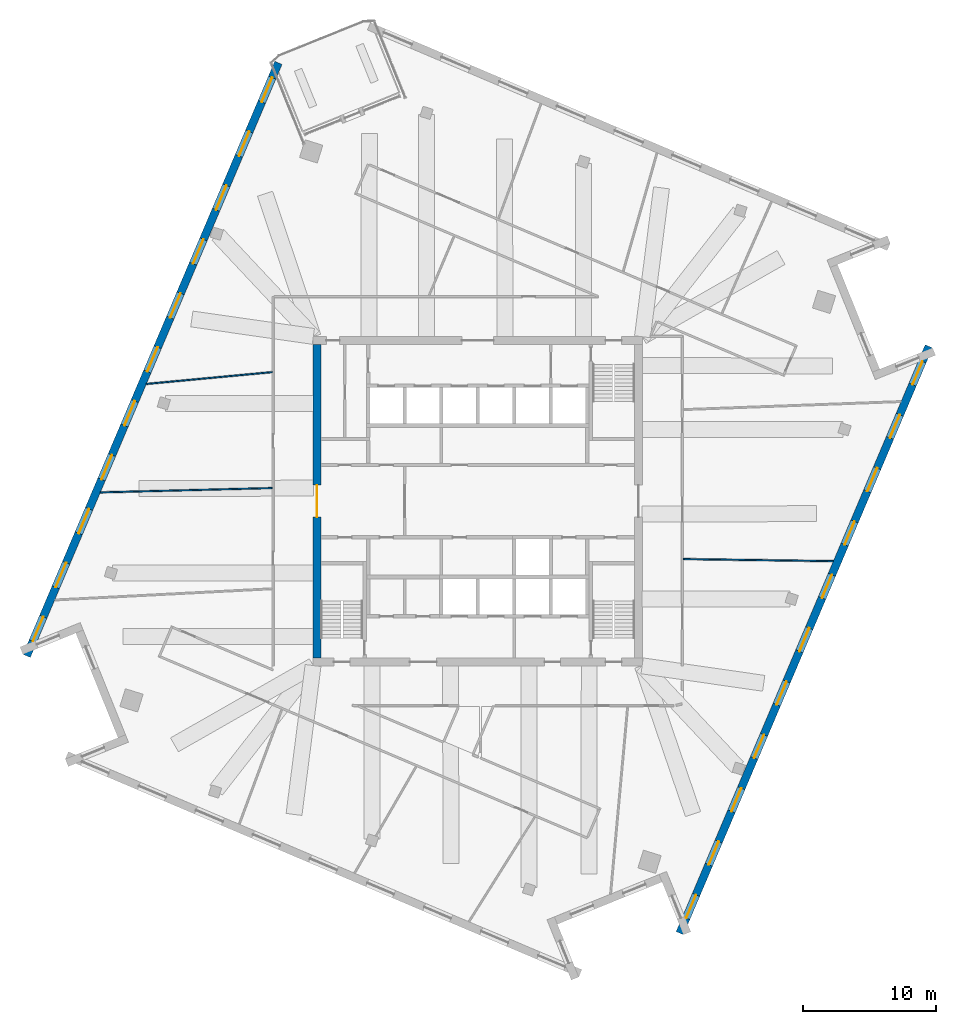
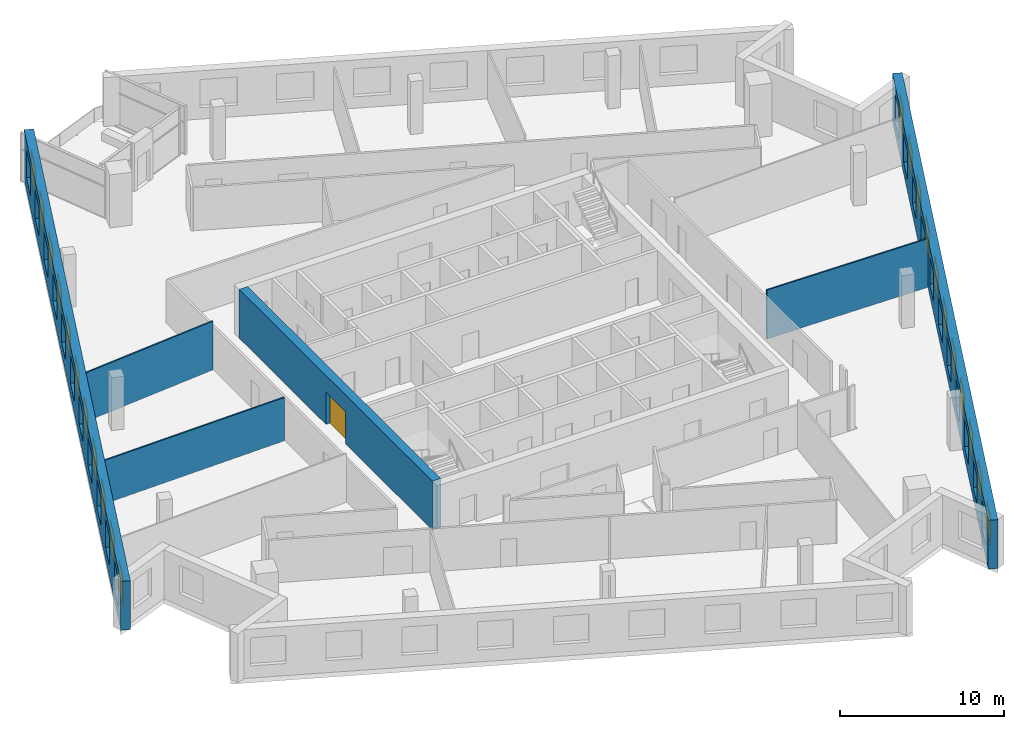
# One storey, part 8 of 13: 22 windows, 6 walls, 1 door, 23 openings.
"""IFC4 building model written with IfcOpenShell, lengths in metres."""

import ifcopenshell
import ifcopenshell.guid

model = None  # the IFC model being written
_history = None  # IfcOwnerHistory: only IFC2X3 demands one
_inside = {}  # id of a spatial element -> (the spatial element, [elements in it])
_under = {}  # id of a project, library or spatial element -> (it, [spatial elements below it])
_declared = {}  # id of a project -> (the project, [libraries it declares])
_typed = {}  # id of a type object -> (the type object, [elements of that type])
_made_of = {}  # id of a material, layer set ... -> (it, [elements and type objects made of it])


def new_model(schema):
    """Start an empty IFC model of exactly this schema.

    Asked for "IFC4X3", IfcOpenShell would pick the latest addendum, in which some entities
    have other attributes; the version numbers below select the first issue.
    IFC2X3 requires an IfcOwnerHistory on every rooted entity: one is made here for all.
    """
    global model, _history
    if schema == "IFC4X3":
        model = ifcopenshell.file(schema_version=(4, 3, 0, 0))
    else:
        model = ifcopenshell.file(schema=schema)
    _inside.clear()
    _under.clear()
    _declared.clear()
    _typed.clear()
    _made_of.clear()
    _history = None
    if model.schema == "IFC2X3":
        org = make("IfcOrganization", Name="unknown")
        user = make(
            "IfcPersonAndOrganization",
            ThePerson=make("IfcPerson", FamilyName="unknown"),
            TheOrganization=org,
        )
        app = make(
            "IfcApplication",
            ApplicationDeveloper=org,
            Version="unknown",
            ApplicationFullName="unknown",
            ApplicationIdentifier="unknown",
        )
        _history = make(
            "IfcOwnerHistory",
            OwningUser=user,
            OwningApplication=app,
            ChangeAction="ADDED",
            CreationDate=0,
        )
    return model


def make(cls, **values):
    """One entity of the class cls with the attributes given. An attribute that is None is left unset."""
    return model.create_entity(
        cls, **{name: value for name, value in values.items() if value is not None}
    )


def rooted(cls, **values):
    """An entity with a GlobalId (a new one), such as an element, a storey or a relation."""
    return make(cls, GlobalId=ifcopenshell.guid.new(), OwnerHistory=_history, **values)


def si_unit(unit_type, name, prefix=None):
    """IfcSIUnit, for example si_unit("LENGTHUNIT", "METRE", prefix="MILLI")."""
    return make("IfcSIUnit", UnitType=unit_type, Prefix=prefix, Name=name)


def assignment(units):
    """IfcUnitAssignment: the units of a project."""
    return None if units is None else make("IfcUnitAssignment", Units=units)


def point(xyz):
    """IfcCartesianPoint."""
    return None if xyz is None else make("IfcCartesianPoint", Coordinates=xyz)


def direction(xyz):
    """IfcDirection."""
    return None if xyz is None else make("IfcDirection", DirectionRatios=xyz)


def frame(location, z_axis=None, x_axis=None):
    """IfcAxis2Placement3D, a coordinate frame: its origin and axes. An axis left out is left unset."""
    return make(
        "IfcAxis2Placement3D",
        Location=point(location),
        Axis=direction(z_axis),
        RefDirection=direction(x_axis),
    )


def frame_2d(location, x_axis=None):
    """IfcAxis2Placement2D, a coordinate frame in the plane: its origin and x axis."""
    return make(
        "IfcAxis2Placement2D", Location=point(location), RefDirection=direction(x_axis)
    )


def origin():
    """The frame at (0, 0, 0) with its axes left unset."""
    return frame((0.0, 0.0, 0.0))


def place(relative_to, where):
    """IfcLocalPlacement: puts the frame where relative to a parent placement (None: the world)."""
    return make(
        "IfcLocalPlacement", PlacementRelTo=relative_to, RelativePlacement=where
    )


def context(
    kind, dimensions, precision=None, world=None, true_north=None, identifier=None
):
    """IfcGeometricRepresentationContext, for example the 3D "Model" context."""
    return make(
        "IfcGeometricRepresentationContext",
        ContextIdentifier=identifier,
        ContextType=kind,
        CoordinateSpaceDimension=dimensions,
        Precision=precision,
        WorldCoordinateSystem=world,
        TrueNorth=true_north,
    )


def subcontext(parent, identifier, kind, view, scale=None):
    """IfcGeometricRepresentationSubContext, for example "Body" below "Model"."""
    return make(
        "IfcGeometricRepresentationSubContext",
        ContextIdentifier=identifier,
        ContextType=kind,
        ParentContext=parent,
        TargetScale=scale,
        TargetView=view,
    )


def project(units=None, contexts=None):
    """IfcProject with its units and contexts."""
    return rooted(
        "IfcProject",
        Name="project",
        RepresentationContexts=contexts,
        UnitsInContext=assignment(units),
    )


def spatial(cls, under=None, at=None, **own):
    """A site, building, storey or space (cls), placed at a placement, below another one or the project."""
    s = rooted(cls, ObjectPlacement=at, **own)
    if under is not None:
        _under.setdefault(under.id(), (under, []))[1].append(s)
    return s


def profile(cls, at=None, kind="AREA", **sizes):
    """A parametric profile (cls). Its sizes go by their IFC names, for example OverallWidth=200.0."""
    return make(cls, ProfileType=kind, Position=at, **sizes)


def rectangle(**sizes):
    """IfcRectangleProfileDef."""
    return profile("IfcRectangleProfileDef", **sizes)


def extrude(swept, where, along, depth):
    """IfcExtrudedAreaSolid: the profile swept, set in the frame where, extruded along a direction by depth."""
    return make(
        "IfcExtrudedAreaSolid",
        SweptArea=swept,
        Position=where,
        ExtrudedDirection=direction(along),
        Depth=depth,
    )


def shape(context_of_items, identifier, shape_type, items):
    """IfcShapeRepresentation: the items that make up one representation, for example the "Body"."""
    return make(
        "IfcShapeRepresentation",
        ContextOfItems=context_of_items,
        RepresentationIdentifier=identifier,
        RepresentationType=shape_type,
        Items=items,
    )


def material(Name=None, Category=None):
    """IfcMaterial."""
    return make("IfcMaterial", Name=Name, Category=Category)


def layer(
    of_material, thickness, ventilated=None, Name=None, Category=None, Priority=None
):
    """IfcMaterialLayer: one layer of a wall or slab, of a material (None: an air gap)."""
    return make(
        "IfcMaterialLayer",
        Material=of_material,
        LayerThickness=thickness,
        IsVentilated=ventilated,
        Name=Name,
        Category=Category,
        Priority=Priority,
    )


def layer_set(layers, Name=None):
    """IfcMaterialLayerSet."""
    return make("IfcMaterialLayerSet", MaterialLayers=layers, LayerSetName=Name)


def made_of(thing, what):
    """Note that an element or type object is made of a material, layer set ...; save() writes the relation."""
    if what is not None:
        _made_of.setdefault(what.id(), (what, []))[1].append(thing)
    return thing


def type_object(cls, material=None, **own):
    """A type object (cls), such as IfcWallType, which elements share."""
    return made_of(rooted(cls, **own), material)


def element(
    cls,
    number,
    at=None,
    inside=None,
    cuts=None,
    type_object=None,
    material=None,
    context=None,
    identifier="Body",
    shape_type=None,
    held_by="IfcProductDefinitionShape",
    body=None,
    shapes=None,
    **own,
):
    """One element of the class cls, such as IfcWall. Its Tag is "e" and its number.

    at: its placement. inside: the storey or other place that contains it. cuts: it is an
    opening in that element (IfcRelVoidsElement). A single representation is given by context,
    identifier, shape_type and body (its items); several are given by shapes. held_by: the class
    of the entity that holds the representations. save() writes the other relations.
    """
    e = rooted(cls, Tag="e%d" % number, ObjectPlacement=at, **own)
    if body is not None:
        shapes = [shape(context, identifier, shape_type, body)]
    if shapes is not None:
        e.Representation = make(held_by, Representations=shapes)
    if inside is not None:
        _inside.setdefault(inside.id(), (inside, []))[1].append(e)
    if cuts is not None:
        rooted(
            "IfcRelVoidsElement", RelatingBuildingElement=cuts, RelatedOpeningElement=e
        )
    if type_object is not None:
        _typed.setdefault(type_object.id(), (type_object, []))[1].append(e)
    return made_of(e, material)


def fill(opening, filler):
    """IfcRelFillsElement: the door or window that sits in an opening."""
    return rooted(
        "IfcRelFillsElement",
        RelatingOpeningElement=opening,
        RelatedBuildingElement=filler,
    )


def aggregate(whole, parts):
    """IfcRelAggregates: a whole, such as a stair, and the parts it consists of."""
    return rooted("IfcRelAggregates", RelatingObject=whole, RelatedObjects=parts)


def save(model, path):
    """Write the relations noted so far, then the file.

    IfcRelAggregates (storeys below a building ...), IfcRelContainedInSpatialStructure (elements
    in a storey), IfcRelDefinesByType, IfcRelAssociatesMaterial and IfcRelDeclares: one each for
    every whole, place, type object, material and project.
    """
    for whole, parts in _under.values():
        aggregate(whole, parts)
    for where, things in _inside.values():
        rooted(
            "IfcRelContainedInSpatialStructure",
            RelatedElements=things,
            RelatingStructure=where,
        )
    for kind, things in _typed.values():
        rooted("IfcRelDefinesByType", RelatedObjects=things, RelatingType=kind)
    for what, things in _made_of.values():
        rooted("IfcRelAssociatesMaterial", RelatedObjects=things, RelatingMaterial=what)
    for by, libraries in _declared.values():
        rooted("IfcRelDeclares", RelatingContext=by, RelatedDefinitions=libraries)
    model.write(path)


model = new_model("IFC4")

# Units and contexts
model_context = context("Model", 3, precision=1e-05, world=origin(), true_north=direction((0.0, 1.0)))
body_context = subcontext(model_context, "Body", "Model", "MODEL_VIEW")
ifc_project = project(units=[si_unit("LENGTHUNIT", "METRE"), si_unit("AREAUNIT", "SQUARE_METRE"), si_unit("VOLUMEUNIT", "CUBIC_METRE"), si_unit("PLANEANGLEUNIT", "RADIAN"), si_unit("MASSUNIT", "GRAM", prefix="KILO")], contexts=[model_context])

# Site, building, storey
site_placement = place(None, origin())
site = spatial("IfcSite", under=ifc_project, at=site_placement, CompositionType="ELEMENT")
building_placement = place(site_placement, origin())
building = spatial("IfcBuilding", under=site, at=building_placement, Name="Dilmun Exchange Tower", CompositionType="ELEMENT")
storey_placement = place(building_placement, frame((0.0, 0.0, 296.5)))
storey = spatial("IfcBuildingStorey", under=building, at=storey_placement, Name="L70", CompositionType="ELEMENT", Elevation=296.5)

# Wall, opening, door
ifc_material_1 = material(Name="Concrete C50/60", Category="concrete")
ifc_layer_1 = layer(ifc_material_1, 0.60009765625)
ifc_layer_set_1 = layer_set([ifc_layer_1], Name="Concrete C50/60")
wall_type_1 = type_object("IfcWallType", Name="Core shear wall 600 Concrete C50/60", PredefinedType="SHEAR", material=ifc_layer_set_1)
wall_1_placement = place(storey_placement, frame((-12.10009765625, -11.800048828125, 0.0), z_axis=(0.0, 0.0, 1.0), x_axis=(0.0, 1.0, 0.0)))
wall_1 = element("IfcWall", 1, at=wall_1_placement, inside=storey, type_object=wall_type_1, Name="L70 core shear wall W", PredefinedType="SHEAR", context=body_context, shape_type="SweptSolid", body=[
    extrude(rectangle(XDim=23.60009765625, YDim=0.60009765625, at=frame_2d((11.800048828125, 0.0))), origin(), (0.0, 0.0, 1.0), 3.64990234375),
])
opening_1_placement = place(wall_1_placement, frame((10.60009765625, 0.0, 0.0)))
opening_1 = element("IfcOpeningElement", 2, at=opening_1_placement, cuts=wall_1, Name="Opening CD1", PredefinedType="OPENING", context=body_context, shape_type="SweptSolid", body=[
    extrude(rectangle(XDim=2.39990234375, YDim=2.39990234375, at=frame_2d((1.199951171875, 1.199951171875))), frame((0.0, 0.31005859375, 0.0), z_axis=(0.0, -1.0, 0.0), x_axis=(1.0, 0.0, 0.0)), (0.0, 0.0, 1.0), 0.6201171875),
])
ifc_material_2 = material(Name="Fire-rated steel door set", Category="steel")
door_type = type_object("IfcDoorType", Name="Core lobby door 2400x2400", OperationType="DOUBLE_DOOR_DOUBLE_SWING", PredefinedType="DOOR", material=ifc_material_2)
door_placement = place(opening_1_placement, origin())
door = element("IfcDoor", 3, at=door_placement, inside=storey, type_object=door_type, Name="L70 door Central lift lobby", OperationType="SINGLE_SWING_LEFT", OverallHeight=2.39990234375, OverallWidth=2.39990234375, PredefinedType="DOOR", context=body_context, shape_type="SweptSolid", body=[
    extrude(rectangle(XDim=2.39990234375, YDim=2.39990234375, at=frame_2d((1.199951171875, 1.199951171875))), frame((0.0, 0.02490234375, 0.0), z_axis=(0.0, -1.0, 0.0), x_axis=(1.0, 0.0, 0.0)), (0.0, 0.0, 1.0), 0.050048828125),
])
fill(opening_1, door)

# Walls
ifc_material_3 = material(Name="Partition 100")
ifc_layer_2 = layer(ifc_material_3, 0.10009765625)
ifc_layer_set_2 = layer_set([ifc_layer_2], Name="Partition 100")
wall_type_2 = type_object("IfcWallType", Name="Partition 100", PredefinedType="PARTITIONING", material=ifc_layer_set_2)
wall_2_placement = place(storey_placement, frame((-28.39892578125, 0.65673828125, 0.0), z_axis=(0.0, 0.0, 1.0), x_axis=(0.999679226592, 0.025326743172, 0.0)))
element("IfcWall", 4, at=wall_2_placement, inside=storey, type_object=wall_type_2, Name="Partition", PredefinedType="PARTITIONING", context=body_context, shape_type="SweptSolid", body=[
    extrude(rectangle(XDim=12.9267578125, YDim=0.10009765625, at=frame_2d((6.46337890625, 0.0))), origin(), (0.0, 0.0, 1.0), 3.25),
])
wall_3_placement = place(storey_placement, frame((-24.934326171875, 8.819091796875, 0.0), z_axis=(0.0, 0.0, 1.0), x_axis=(0.995594865602, 0.0937596053, 0.0)))
element("IfcWall", 5, at=wall_3_placement, inside=storey, type_object=wall_type_2, Name="Partition", PredefinedType="PARTITIONING", context=body_context, shape_type="SweptSolid", body=[
    extrude(rectangle(XDim=9.496337890625, YDim=0.10009765625, at=frame_2d((4.748046875, 0.0))), origin(), (0.0, 0.0, 1.0), 3.64990234375),
])
wall_4_placement = place(storey_placement, frame((15.4755859375, -4.360107421875, 0.0), z_axis=(0.0, 0.0, 1.0), x_axis=(0.999902345391, -0.013974966252, 0.0)))
element("IfcWall", 6, at=wall_4_placement, inside=storey, type_object=wall_type_2, Name="Partition", PredefinedType="PARTITIONING", context=body_context, shape_type="SweptSolid", body=[
    extrude(rectangle(XDim=11.28564453125, YDim=0.10009765625, at=frame_2d((5.642822265625, 0.0))), origin(), (0.0, 0.0, 1.0), 3.64990234375),
])

# Wall, openings, windows
ifc_material_4 = material(Name="Precast concrete C50/60", Category="concrete")
ifc_layer_3 = layer(ifc_material_4, 0.60009765625)
ifc_layer_set_3 = layer_set([ifc_layer_3], Name="Precast concrete C50/60")
wall_type_3 = type_object("IfcWallType", Name="Precast stone-clad wall 600", PredefinedType="STANDARD", material=ifc_layer_set_3)
wall_5_placement = place(storey_placement, frame((-15.004638671875, 32.98486328125, 0.0), z_axis=(0.0, 0.0, 1.0), x_axis=(-0.39073034436, -0.920505186295, 0.0)))
wall_5 = element("IfcWall", 7, at=wall_5_placement, inside=storey, type_object=wall_type_3, Name="Facade wall L70-03", PredefinedType="STANDARD", context=body_context, shape_type="SweptSolid", body=[
    extrude(rectangle(XDim=48.489501953125, YDim=0.60009765625, at=frame_2d((24.24462890625, 0.0))), origin(), (0.0, 0.0, 1.0), 3.64990234375),
])
opening_2_placement = place(wall_5_placement, frame((1.2041015625, 0.0, 0.89990234375)))
opening_2 = element("IfcOpeningElement", 8, at=opening_2_placement, cuts=wall_5, Name="Opening W200-210", PredefinedType="OPENING", context=body_context, shape_type="SweptSolid", body=[
    extrude(rectangle(XDim=2.0, YDim=2.10009765625, at=frame_2d((1.0, 1.050048828125))), frame((0.0, 0.31005859375, 0.0), z_axis=(0.0, -1.0, 0.0), x_axis=(1.0, 0.0, 0.0)), (0.0, 0.0, 1.0), 0.6201171875),
])
opening_3_placement = place(wall_5_placement, frame((5.6123046875, 0.0, 0.89990234375)))
opening_3 = element("IfcOpeningElement", 9, at=opening_3_placement, cuts=wall_5, Name="Opening W200-210", PredefinedType="OPENING", context=body_context, shape_type="SweptSolid", body=[
    extrude(rectangle(XDim=2.0, YDim=2.10009765625, at=frame_2d((1.0, 1.050048828125))), frame((0.0, 0.31005859375, 0.0), z_axis=(0.0, -1.0, 0.0), x_axis=(1.0, 0.0, 0.0)), (0.0, 0.0, 1.0), 0.6201171875),
])
opening_4_placement = place(wall_5_placement, frame((10.0205078125, 0.0, 0.89990234375)))
opening_4 = element("IfcOpeningElement", 10, at=opening_4_placement, cuts=wall_5, Name="Opening W200-210", PredefinedType="OPENING", context=body_context, shape_type="SweptSolid", body=[
    extrude(rectangle(XDim=2.0, YDim=2.10009765625, at=frame_2d((1.0, 1.050048828125))), frame((0.0, 0.31005859375, 0.0), z_axis=(0.0, -1.0, 0.0), x_axis=(1.0, 0.0, 0.0)), (0.0, 0.0, 1.0), 0.6201171875),
])
opening_5_placement = place(wall_5_placement, frame((14.428466796875, 0.0, 0.89990234375)))
opening_5 = element("IfcOpeningElement", 11, at=opening_5_placement, cuts=wall_5, Name="Opening W200-210", PredefinedType="OPENING", context=body_context, shape_type="SweptSolid", body=[
    extrude(rectangle(XDim=2.0, YDim=2.10009765625, at=frame_2d((1.0, 1.050048828125))), frame((0.0, 0.31005859375, 0.0), z_axis=(0.0, -1.0, 0.0), x_axis=(1.0, 0.0, 0.0)), (0.0, 0.0, 1.0), 0.6201171875),
])
opening_6_placement = place(wall_5_placement, frame((18.836669921875, 0.0, 0.89990234375)))
opening_6 = element("IfcOpeningElement", 12, at=opening_6_placement, cuts=wall_5, Name="Opening W200-210", PredefinedType="OPENING", context=body_context, shape_type="SweptSolid", body=[
    extrude(rectangle(XDim=2.0, YDim=2.10009765625, at=frame_2d((1.0, 1.050048828125))), frame((0.0, 0.31005859375, 0.0), z_axis=(0.0, -1.0, 0.0), x_axis=(1.0, 0.0, 0.0)), (0.0, 0.0, 1.0), 0.6201171875),
])
opening_7_placement = place(wall_5_placement, frame((23.244873046875, 0.0, 0.89990234375)))
opening_7 = element("IfcOpeningElement", 13, at=opening_7_placement, cuts=wall_5, Name="Opening W200-210", PredefinedType="OPENING", context=body_context, shape_type="SweptSolid", body=[
    extrude(rectangle(XDim=2.0, YDim=2.10009765625, at=frame_2d((1.0, 1.050048828125))), frame((0.0, 0.31005859375, 0.0), z_axis=(0.0, -1.0, 0.0), x_axis=(1.0, 0.0, 0.0)), (0.0, 0.0, 1.0), 0.6201171875),
])
opening_8_placement = place(wall_5_placement, frame((27.65283203125, 0.0, 0.89990234375)))
opening_8 = element("IfcOpeningElement", 14, at=opening_8_placement, cuts=wall_5, Name="Opening W200-210", PredefinedType="OPENING", context=body_context, shape_type="SweptSolid", body=[
    extrude(rectangle(XDim=2.0, YDim=2.10009765625, at=frame_2d((1.0, 1.050048828125))), frame((0.0, 0.31005859375, 0.0), z_axis=(0.0, -1.0, 0.0), x_axis=(1.0, 0.0, 0.0)), (0.0, 0.0, 1.0), 0.6201171875),
])
opening_9_placement = place(wall_5_placement, frame((32.06103515625, 0.0, 0.89990234375)))
opening_9 = element("IfcOpeningElement", 15, at=opening_9_placement, cuts=wall_5, Name="Opening W200-210", PredefinedType="OPENING", context=body_context, shape_type="SweptSolid", body=[
    extrude(rectangle(XDim=2.0, YDim=2.10009765625, at=frame_2d((1.0, 1.050048828125))), frame((0.0, 0.31005859375, 0.0), z_axis=(0.0, -1.0, 0.0), x_axis=(1.0, 0.0, 0.0)), (0.0, 0.0, 1.0), 0.6201171875),
])
opening_10_placement = place(wall_5_placement, frame((36.46923828125, 0.0, 0.89990234375)))
opening_10 = element("IfcOpeningElement", 16, at=opening_10_placement, cuts=wall_5, Name="Opening W200-210", PredefinedType="OPENING", context=body_context, shape_type="SweptSolid", body=[
    extrude(rectangle(XDim=2.0, YDim=2.10009765625, at=frame_2d((1.0, 1.050048828125))), frame((0.0, 0.31005859375, 0.0), z_axis=(0.0, -1.0, 0.0), x_axis=(1.0, 0.0, 0.0)), (0.0, 0.0, 1.0), 0.6201171875),
])
opening_11_placement = place(wall_5_placement, frame((40.87744140625, 0.0, 0.89990234375)))
opening_11 = element("IfcOpeningElement", 17, at=opening_11_placement, cuts=wall_5, Name="Opening W200-210", PredefinedType="OPENING", context=body_context, shape_type="SweptSolid", body=[
    extrude(rectangle(XDim=2.0, YDim=2.10009765625, at=frame_2d((1.0, 1.050048828125))), frame((0.0, 0.31005859375, 0.0), z_axis=(0.0, -1.0, 0.0), x_axis=(1.0, 0.0, 0.0)), (0.0, 0.0, 1.0), 0.6201171875),
])
opening_12_placement = place(wall_5_placement, frame((45.285400390625, 0.0, 0.89990234375)))
opening_12 = element("IfcOpeningElement", 18, at=opening_12_placement, cuts=wall_5, Name="Opening W200-210", PredefinedType="OPENING", context=body_context, shape_type="SweptSolid", body=[
    extrude(rectangle(XDim=2.0, YDim=2.10009765625, at=frame_2d((1.0, 1.050048828125))), frame((0.0, 0.31005859375, 0.0), z_axis=(0.0, -1.0, 0.0), x_axis=(1.0, 0.0, 0.0)), (0.0, 0.0, 1.0), 0.6201171875),
])
ifc_material_5 = material(Name="Clear low-emissivity glass in aluminium frame", Category="aluminium")
window_type_1 = type_object("IfcWindowType", Name="Punched window 2000 x 2100", PartitioningType="DOUBLE_PANEL_VERTICAL", PredefinedType="WINDOW", material=ifc_material_5)
window_1_placement = place(opening_2_placement, origin())
window_1 = element("IfcWindow", 19, at=window_1_placement, inside=storey, type_object=window_type_1, Name="Window 4.1", OverallHeight=2.10009765625, OverallWidth=2.0, PartitioningType="SINGLE_PANEL", PredefinedType="WINDOW", context=body_context, shape_type="SweptSolid", body=[
    extrude(rectangle(XDim=2.0, YDim=2.10009765625, at=frame_2d((1.0, 1.050048828125))), frame((0.0, 0.030029296875, 0.0), z_axis=(0.0, -1.0, 0.0), x_axis=(1.0, 0.0, 0.0)), (0.0, 0.0, 1.0), 0.06005859375),
])
fill(opening_2, window_1)
window_2_placement = place(opening_3_placement, origin())
window_2 = element("IfcWindow", 20, at=window_2_placement, inside=storey, type_object=window_type_1, Name="Window 4.2", OverallHeight=2.10009765625, OverallWidth=2.0, PartitioningType="SINGLE_PANEL", PredefinedType="WINDOW", context=body_context, shape_type="SweptSolid", body=[
    extrude(rectangle(XDim=2.0, YDim=2.10009765625, at=frame_2d((1.0, 1.050048828125))), frame((0.0, 0.030029296875, 0.0), z_axis=(0.0, -1.0, 0.0), x_axis=(1.0, 0.0, 0.0)), (0.0, 0.0, 1.0), 0.06005859375),
])
fill(opening_3, window_2)
window_3_placement = place(opening_4_placement, origin())
window_3 = element("IfcWindow", 21, at=window_3_placement, inside=storey, type_object=window_type_1, Name="Window 4.3", OverallHeight=2.10009765625, OverallWidth=2.0, PartitioningType="SINGLE_PANEL", PredefinedType="WINDOW", context=body_context, shape_type="SweptSolid", body=[
    extrude(rectangle(XDim=2.0, YDim=2.10009765625, at=frame_2d((1.0, 1.050048828125))), frame((0.0, 0.030029296875, 0.0), z_axis=(0.0, -1.0, 0.0), x_axis=(1.0, 0.0, 0.0)), (0.0, 0.0, 1.0), 0.06005859375),
])
fill(opening_4, window_3)
window_4_placement = place(opening_5_placement, origin())
window_4 = element("IfcWindow", 22, at=window_4_placement, inside=storey, type_object=window_type_1, Name="Window 4.4", OverallHeight=2.10009765625, OverallWidth=2.0, PartitioningType="SINGLE_PANEL", PredefinedType="WINDOW", context=body_context, shape_type="SweptSolid", body=[
    extrude(rectangle(XDim=2.0, YDim=2.10009765625, at=frame_2d((1.0, 1.050048828125))), frame((0.0, 0.030029296875, 0.0), z_axis=(0.0, -1.0, 0.0), x_axis=(1.0, 0.0, 0.0)), (0.0, 0.0, 1.0), 0.06005859375),
])
fill(opening_5, window_4)
window_5_placement = place(opening_6_placement, origin())
window_5 = element("IfcWindow", 23, at=window_5_placement, inside=storey, type_object=window_type_1, Name="Window 4.5", OverallHeight=2.10009765625, OverallWidth=2.0, PartitioningType="SINGLE_PANEL", PredefinedType="WINDOW", context=body_context, shape_type="SweptSolid", body=[
    extrude(rectangle(XDim=2.0, YDim=2.10009765625, at=frame_2d((1.0, 1.050048828125))), frame((0.0, 0.030029296875, 0.0), z_axis=(0.0, -1.0, 0.0), x_axis=(1.0, 0.0, 0.0)), (0.0, 0.0, 1.0), 0.06005859375),
])
fill(opening_6, window_5)
window_6_placement = place(opening_7_placement, origin())
window_6 = element("IfcWindow", 24, at=window_6_placement, inside=storey, type_object=window_type_1, Name="Window 4.6", OverallHeight=2.10009765625, OverallWidth=2.0, PartitioningType="SINGLE_PANEL", PredefinedType="WINDOW", context=body_context, shape_type="SweptSolid", body=[
    extrude(rectangle(XDim=2.0, YDim=2.10009765625, at=frame_2d((1.0, 1.050048828125))), frame((0.0, 0.030029296875, 0.0), z_axis=(0.0, -1.0, 0.0), x_axis=(1.0, 0.0, 0.0)), (0.0, 0.0, 1.0), 0.06005859375),
])
fill(opening_7, window_6)
window_7_placement = place(opening_8_placement, origin())
window_7 = element("IfcWindow", 25, at=window_7_placement, inside=storey, type_object=window_type_1, Name="Window 4.7", OverallHeight=2.10009765625, OverallWidth=2.0, PartitioningType="SINGLE_PANEL", PredefinedType="WINDOW", context=body_context, shape_type="SweptSolid", body=[
    extrude(rectangle(XDim=2.0, YDim=2.10009765625, at=frame_2d((1.0, 1.050048828125))), frame((0.0, 0.030029296875, 0.0), z_axis=(0.0, -1.0, 0.0), x_axis=(1.0, 0.0, 0.0)), (0.0, 0.0, 1.0), 0.06005859375),
])
fill(opening_8, window_7)
window_8_placement = place(opening_9_placement, origin())
window_8 = element("IfcWindow", 26, at=window_8_placement, inside=storey, type_object=window_type_1, Name="Window 4.8", OverallHeight=2.10009765625, OverallWidth=2.0, PartitioningType="SINGLE_PANEL", PredefinedType="WINDOW", context=body_context, shape_type="SweptSolid", body=[
    extrude(rectangle(XDim=2.0, YDim=2.10009765625, at=frame_2d((1.0, 1.050048828125))), frame((0.0, 0.030029296875, 0.0), z_axis=(0.0, -1.0, 0.0), x_axis=(1.0, 0.0, 0.0)), (0.0, 0.0, 1.0), 0.06005859375),
])
fill(opening_9, window_8)
window_9_placement = place(opening_10_placement, origin())
window_9 = element("IfcWindow", 27, at=window_9_placement, inside=storey, type_object=window_type_1, Name="Window 4.9", OverallHeight=2.10009765625, OverallWidth=2.0, PartitioningType="SINGLE_PANEL", PredefinedType="WINDOW", context=body_context, shape_type="SweptSolid", body=[
    extrude(rectangle(XDim=2.0, YDim=2.10009765625, at=frame_2d((1.0, 1.050048828125))), frame((0.0, 0.030029296875, 0.0), z_axis=(0.0, -1.0, 0.0), x_axis=(1.0, 0.0, 0.0)), (0.0, 0.0, 1.0), 0.06005859375),
])
fill(opening_10, window_9)
window_10_placement = place(opening_11_placement, origin())
window_10 = element("IfcWindow", 28, at=window_10_placement, inside=storey, type_object=window_type_1, Name="Window 4.10", OverallHeight=2.10009765625, OverallWidth=2.0, PartitioningType="SINGLE_PANEL", PredefinedType="WINDOW", context=body_context, shape_type="SweptSolid", body=[
    extrude(rectangle(XDim=2.0, YDim=2.10009765625, at=frame_2d((1.0, 1.050048828125))), frame((0.0, 0.030029296875, 0.0), z_axis=(0.0, -1.0, 0.0), x_axis=(1.0, 0.0, 0.0)), (0.0, 0.0, 1.0), 0.06005859375),
])
fill(opening_11, window_10)
window_11_placement = place(opening_12_placement, origin())
window_11 = element("IfcWindow", 29, at=window_11_placement, inside=storey, type_object=window_type_1, Name="Window 4.11", OverallHeight=2.10009765625, OverallWidth=2.0, PartitioningType="SINGLE_PANEL", PredefinedType="WINDOW", context=body_context, shape_type="SweptSolid", body=[
    extrude(rectangle(XDim=2.0, YDim=2.10009765625, at=frame_2d((1.0, 1.050048828125))), frame((0.0, 0.030029296875, 0.0), z_axis=(0.0, -1.0, 0.0), x_axis=(1.0, 0.0, 0.0)), (0.0, 0.0, 1.0), 0.06005859375),
])
fill(opening_12, window_11)

wall_6_placement = place(storey_placement, frame((15.2041015625, -32.51513671875, 0.0), z_axis=(0.0, 0.0, 1.0), x_axis=(0.390728997462, 0.920505758017, 0.0)))
wall_6 = element("IfcWall", 30, at=wall_6_placement, inside=storey, type_object=wall_type_3, Name="Facade wall L70-11", PredefinedType="STANDARD", context=body_context, shape_type="SweptSolid", body=[
    extrude(rectangle(XDim=47.97900390625, YDim=0.60009765625, at=frame_2d((23.989501953125, 0.0))), origin(), (0.0, 0.0, 1.0), 3.64990234375),
])
opening_13_placement = place(wall_6_placement, frame((1.23095703125, 0.0, 0.89990234375)))
opening_13 = element("IfcOpeningElement", 31, at=opening_13_placement, cuts=wall_6, Name="Opening W190-210", PredefinedType="OPENING", context=body_context, shape_type="SweptSolid", body=[
    extrude(rectangle(XDim=1.89990234375, YDim=2.10009765625, at=frame_2d((0.949951171875, 1.050048828125))), frame((0.0, 0.31005859375, 0.0), z_axis=(0.0, -1.0, 0.0), x_axis=(1.0, 0.0, 0.0)), (0.0, 0.0, 1.0), 0.6201171875),
])
opening_14_placement = place(wall_6_placement, frame((5.592529296875, 0.0, 0.89990234375)))
opening_14 = element("IfcOpeningElement", 32, at=opening_14_placement, cuts=wall_6, Name="Opening W190-210", PredefinedType="OPENING", context=body_context, shape_type="SweptSolid", body=[
    extrude(rectangle(XDim=1.89990234375, YDim=2.10009765625, at=frame_2d((0.949951171875, 1.050048828125))), frame((0.0, 0.31005859375, 0.0), z_axis=(0.0, -1.0, 0.0), x_axis=(1.0, 0.0, 0.0)), (0.0, 0.0, 1.0), 0.6201171875),
])
opening_15_placement = place(wall_6_placement, frame((9.954345703125, 0.0, 0.89990234375)))
opening_15 = element("IfcOpeningElement", 33, at=opening_15_placement, cuts=wall_6, Name="Opening W190-210", PredefinedType="OPENING", context=body_context, shape_type="SweptSolid", body=[
    extrude(rectangle(XDim=1.89990234375, YDim=2.10009765625, at=frame_2d((0.949951171875, 1.050048828125))), frame((0.0, 0.31005859375, 0.0), z_axis=(0.0, -1.0, 0.0), x_axis=(1.0, 0.0, 0.0)), (0.0, 0.0, 1.0), 0.6201171875),
])
opening_16_placement = place(wall_6_placement, frame((14.316162109375, 0.0, 0.89990234375)))
opening_16 = element("IfcOpeningElement", 34, at=opening_16_placement, cuts=wall_6, Name="Opening W190-210", PredefinedType="OPENING", context=body_context, shape_type="SweptSolid", body=[
    extrude(rectangle(XDim=1.89990234375, YDim=2.10009765625, at=frame_2d((0.949951171875, 1.050048828125))), frame((0.0, 0.31005859375, 0.0), z_axis=(0.0, -1.0, 0.0), x_axis=(1.0, 0.0, 0.0)), (0.0, 0.0, 1.0), 0.6201171875),
])
opening_17_placement = place(wall_6_placement, frame((18.677734375, 0.0, 0.89990234375)))
opening_17 = element("IfcOpeningElement", 35, at=opening_17_placement, cuts=wall_6, Name="Opening W190-210", PredefinedType="OPENING", context=body_context, shape_type="SweptSolid", body=[
    extrude(rectangle(XDim=1.89990234375, YDim=2.10009765625, at=frame_2d((0.949951171875, 1.050048828125))), frame((0.0, 0.31005859375, 0.0), z_axis=(0.0, -1.0, 0.0), x_axis=(1.0, 0.0, 0.0)), (0.0, 0.0, 1.0), 0.6201171875),
])
opening_18_placement = place(wall_6_placement, frame((23.03955078125, 0.0, 0.89990234375)))
opening_18 = element("IfcOpeningElement", 36, at=opening_18_placement, cuts=wall_6, Name="Opening W190-210", PredefinedType="OPENING", context=body_context, shape_type="SweptSolid", body=[
    extrude(rectangle(XDim=1.89990234375, YDim=2.10009765625, at=frame_2d((0.949951171875, 1.050048828125))), frame((0.0, 0.31005859375, 0.0), z_axis=(0.0, -1.0, 0.0), x_axis=(1.0, 0.0, 0.0)), (0.0, 0.0, 1.0), 0.6201171875),
])
opening_19_placement = place(wall_6_placement, frame((27.4013671875, 0.0, 0.89990234375)))
opening_19 = element("IfcOpeningElement", 37, at=opening_19_placement, cuts=wall_6, Name="Opening W190-210", PredefinedType="OPENING", context=body_context, shape_type="SweptSolid", body=[
    extrude(rectangle(XDim=1.89990234375, YDim=2.10009765625, at=frame_2d((0.949951171875, 1.050048828125))), frame((0.0, 0.31005859375, 0.0), z_axis=(0.0, -1.0, 0.0), x_axis=(1.0, 0.0, 0.0)), (0.0, 0.0, 1.0), 0.6201171875),
])
opening_20_placement = place(wall_6_placement, frame((31.76318359375, 0.0, 0.89990234375)))
opening_20 = element("IfcOpeningElement", 38, at=opening_20_placement, cuts=wall_6, Name="Opening W190-210", PredefinedType="OPENING", context=body_context, shape_type="SweptSolid", body=[
    extrude(rectangle(XDim=1.89990234375, YDim=2.10009765625, at=frame_2d((0.949951171875, 1.050048828125))), frame((0.0, 0.31005859375, 0.0), z_axis=(0.0, -1.0, 0.0), x_axis=(1.0, 0.0, 0.0)), (0.0, 0.0, 1.0), 0.6201171875),
])
opening_21_placement = place(wall_6_placement, frame((36.124755859375, 0.0, 0.89990234375)))
opening_21 = element("IfcOpeningElement", 39, at=opening_21_placement, cuts=wall_6, Name="Opening W190-210", PredefinedType="OPENING", context=body_context, shape_type="SweptSolid", body=[
    extrude(rectangle(XDim=1.89990234375, YDim=2.10009765625, at=frame_2d((0.949951171875, 1.050048828125))), frame((0.0, 0.31005859375, 0.0), z_axis=(0.0, -1.0, 0.0), x_axis=(1.0, 0.0, 0.0)), (0.0, 0.0, 1.0), 0.6201171875),
])
opening_22_placement = place(wall_6_placement, frame((40.486572265625, 0.0, 0.89990234375)))
opening_22 = element("IfcOpeningElement", 40, at=opening_22_placement, cuts=wall_6, Name="Opening W190-210", PredefinedType="OPENING", context=body_context, shape_type="SweptSolid", body=[
    extrude(rectangle(XDim=1.89990234375, YDim=2.10009765625, at=frame_2d((0.949951171875, 1.050048828125))), frame((0.0, 0.31005859375, 0.0), z_axis=(0.0, -1.0, 0.0), x_axis=(1.0, 0.0, 0.0)), (0.0, 0.0, 1.0), 0.6201171875),
])
opening_23_placement = place(wall_6_placement, frame((44.848388671875, 0.0, 0.89990234375)))
opening_23 = element("IfcOpeningElement", 41, at=opening_23_placement, cuts=wall_6, Name="Opening W190-210", PredefinedType="OPENING", context=body_context, shape_type="SweptSolid", body=[
    extrude(rectangle(XDim=1.89990234375, YDim=2.10009765625, at=frame_2d((0.949951171875, 1.050048828125))), frame((0.0, 0.31005859375, 0.0), z_axis=(0.0, -1.0, 0.0), x_axis=(1.0, 0.0, 0.0)), (0.0, 0.0, 1.0), 0.6201171875),
])
window_type_2 = type_object("IfcWindowType", Name="Punched window 1900 x 2100", PartitioningType="DOUBLE_PANEL_VERTICAL", PredefinedType="WINDOW", material=ifc_material_5)
window_12_placement = place(opening_13_placement, origin())
window_12 = element("IfcWindow", 42, at=window_12_placement, inside=storey, type_object=window_type_2, Name="Window 12.1", OverallHeight=2.10009765625, OverallWidth=1.89990234375, PartitioningType="SINGLE_PANEL", PredefinedType="WINDOW", context=body_context, shape_type="SweptSolid", body=[
    extrude(rectangle(XDim=1.89990234375, YDim=2.10009765625, at=frame_2d((0.949951171875, 1.050048828125))), frame((0.0, 0.030029296875, 0.0), z_axis=(0.0, -1.0, 0.0), x_axis=(1.0, 0.0, 0.0)), (0.0, 0.0, 1.0), 0.06005859375),
])
fill(opening_13, window_12)
window_13_placement = place(opening_14_placement, origin())
window_13 = element("IfcWindow", 43, at=window_13_placement, inside=storey, type_object=window_type_2, Name="Window 12.2", OverallHeight=2.10009765625, OverallWidth=1.89990234375, PartitioningType="SINGLE_PANEL", PredefinedType="WINDOW", context=body_context, shape_type="SweptSolid", body=[
    extrude(rectangle(XDim=1.89990234375, YDim=2.10009765625, at=frame_2d((0.949951171875, 1.050048828125))), frame((0.0, 0.030029296875, 0.0), z_axis=(0.0, -1.0, 0.0), x_axis=(1.0, 0.0, 0.0)), (0.0, 0.0, 1.0), 0.06005859375),
])
fill(opening_14, window_13)
window_14_placement = place(opening_15_placement, origin())
window_14 = element("IfcWindow", 44, at=window_14_placement, inside=storey, type_object=window_type_2, Name="Window 12.3", OverallHeight=2.10009765625, OverallWidth=1.89990234375, PartitioningType="SINGLE_PANEL", PredefinedType="WINDOW", context=body_context, shape_type="SweptSolid", body=[
    extrude(rectangle(XDim=1.89990234375, YDim=2.10009765625, at=frame_2d((0.949951171875, 1.050048828125))), frame((0.0, 0.030029296875, 0.0), z_axis=(0.0, -1.0, 0.0), x_axis=(1.0, 0.0, 0.0)), (0.0, 0.0, 1.0), 0.06005859375),
])
fill(opening_15, window_14)
window_15_placement = place(opening_16_placement, origin())
window_15 = element("IfcWindow", 45, at=window_15_placement, inside=storey, type_object=window_type_2, Name="Window 12.4", OverallHeight=2.10009765625, OverallWidth=1.89990234375, PartitioningType="SINGLE_PANEL", PredefinedType="WINDOW", context=body_context, shape_type="SweptSolid", body=[
    extrude(rectangle(XDim=1.89990234375, YDim=2.10009765625, at=frame_2d((0.949951171875, 1.050048828125))), frame((0.0, 0.030029296875, 0.0), z_axis=(0.0, -1.0, 0.0), x_axis=(1.0, 0.0, 0.0)), (0.0, 0.0, 1.0), 0.06005859375),
])
fill(opening_16, window_15)
window_16_placement = place(opening_17_placement, origin())
window_16 = element("IfcWindow", 46, at=window_16_placement, inside=storey, type_object=window_type_2, Name="Window 12.5", OverallHeight=2.10009765625, OverallWidth=1.89990234375, PartitioningType="SINGLE_PANEL", PredefinedType="WINDOW", context=body_context, shape_type="SweptSolid", body=[
    extrude(rectangle(XDim=1.89990234375, YDim=2.10009765625, at=frame_2d((0.949951171875, 1.050048828125))), frame((0.0, 0.030029296875, 0.0), z_axis=(0.0, -1.0, 0.0), x_axis=(1.0, 0.0, 0.0)), (0.0, 0.0, 1.0), 0.06005859375),
])
fill(opening_17, window_16)
window_17_placement = place(opening_18_placement, origin())
window_17 = element("IfcWindow", 47, at=window_17_placement, inside=storey, type_object=window_type_2, Name="Window 12.6", OverallHeight=2.10009765625, OverallWidth=1.89990234375, PartitioningType="SINGLE_PANEL", PredefinedType="WINDOW", context=body_context, shape_type="SweptSolid", body=[
    extrude(rectangle(XDim=1.89990234375, YDim=2.10009765625, at=frame_2d((0.949951171875, 1.050048828125))), frame((0.0, 0.030029296875, 0.0), z_axis=(0.0, -1.0, 0.0), x_axis=(1.0, 0.0, 0.0)), (0.0, 0.0, 1.0), 0.06005859375),
])
fill(opening_18, window_17)
window_18_placement = place(opening_19_placement, origin())
window_18 = element("IfcWindow", 48, at=window_18_placement, inside=storey, type_object=window_type_2, Name="Window 12.7", OverallHeight=2.10009765625, OverallWidth=1.89990234375, PartitioningType="SINGLE_PANEL", PredefinedType="WINDOW", context=body_context, shape_type="SweptSolid", body=[
    extrude(rectangle(XDim=1.89990234375, YDim=2.10009765625, at=frame_2d((0.949951171875, 1.050048828125))), frame((0.0, 0.030029296875, 0.0), z_axis=(0.0, -1.0, 0.0), x_axis=(1.0, 0.0, 0.0)), (0.0, 0.0, 1.0), 0.06005859375),
])
fill(opening_19, window_18)
window_19_placement = place(opening_20_placement, origin())
window_19 = element("IfcWindow", 49, at=window_19_placement, inside=storey, type_object=window_type_2, Name="Window 12.8", OverallHeight=2.10009765625, OverallWidth=1.89990234375, PartitioningType="SINGLE_PANEL", PredefinedType="WINDOW", context=body_context, shape_type="SweptSolid", body=[
    extrude(rectangle(XDim=1.89990234375, YDim=2.10009765625, at=frame_2d((0.949951171875, 1.050048828125))), frame((0.0, 0.030029296875, 0.0), z_axis=(0.0, -1.0, 0.0), x_axis=(1.0, 0.0, 0.0)), (0.0, 0.0, 1.0), 0.06005859375),
])
fill(opening_20, window_19)
window_20_placement = place(opening_21_placement, origin())
window_20 = element("IfcWindow", 50, at=window_20_placement, inside=storey, type_object=window_type_2, Name="Window 12.9", OverallHeight=2.10009765625, OverallWidth=1.89990234375, PartitioningType="SINGLE_PANEL", PredefinedType="WINDOW", context=body_context, shape_type="SweptSolid", body=[
    extrude(rectangle(XDim=1.89990234375, YDim=2.10009765625, at=frame_2d((0.949951171875, 1.050048828125))), frame((0.0, 0.030029296875, 0.0), z_axis=(0.0, -1.0, 0.0), x_axis=(1.0, 0.0, 0.0)), (0.0, 0.0, 1.0), 0.06005859375),
])
fill(opening_21, window_20)
window_21_placement = place(opening_22_placement, origin())
window_21 = element("IfcWindow", 51, at=window_21_placement, inside=storey, type_object=window_type_2, Name="Window 12.10", OverallHeight=2.10009765625, OverallWidth=1.89990234375, PartitioningType="SINGLE_PANEL", PredefinedType="WINDOW", context=body_context, shape_type="SweptSolid", body=[
    extrude(rectangle(XDim=1.89990234375, YDim=2.10009765625, at=frame_2d((0.949951171875, 1.050048828125))), frame((0.0, 0.030029296875, 0.0), z_axis=(0.0, -1.0, 0.0), x_axis=(1.0, 0.0, 0.0)), (0.0, 0.0, 1.0), 0.06005859375),
])
fill(opening_22, window_21)
window_22_placement = place(opening_23_placement, origin())
window_22 = element("IfcWindow", 52, at=window_22_placement, inside=storey, type_object=window_type_2, Name="Window 12.11", OverallHeight=2.10009765625, OverallWidth=1.89990234375, PartitioningType="SINGLE_PANEL", PredefinedType="WINDOW", context=body_context, shape_type="SweptSolid", body=[
    extrude(rectangle(XDim=1.89990234375, YDim=2.10009765625, at=frame_2d((0.949951171875, 1.050048828125))), frame((0.0, 0.030029296875, 0.0), z_axis=(0.0, -1.0, 0.0), x_axis=(1.0, 0.0, 0.0)), (0.0, 0.0, 1.0), 0.06005859375),
])
fill(opening_23, window_22)

save(model, "model.ifc")
